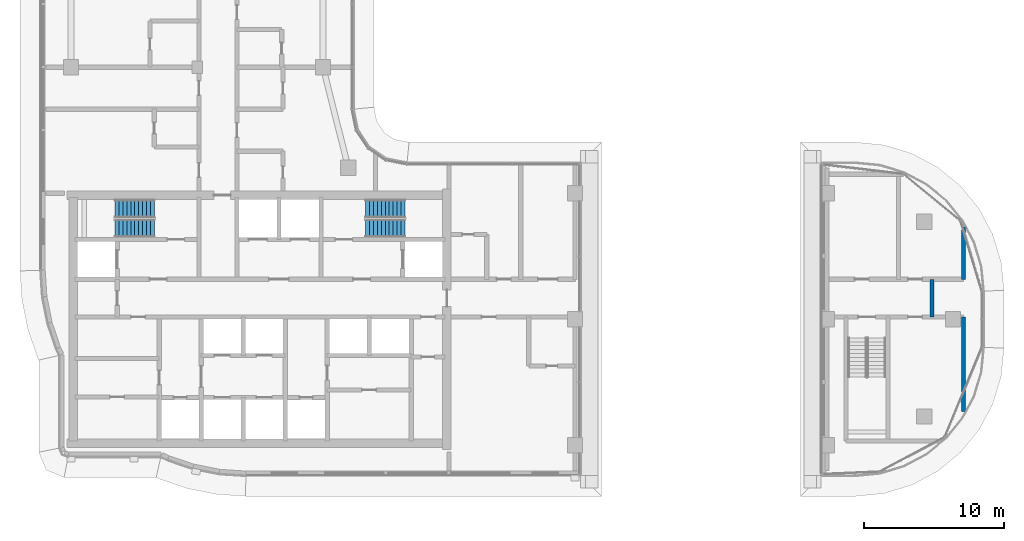
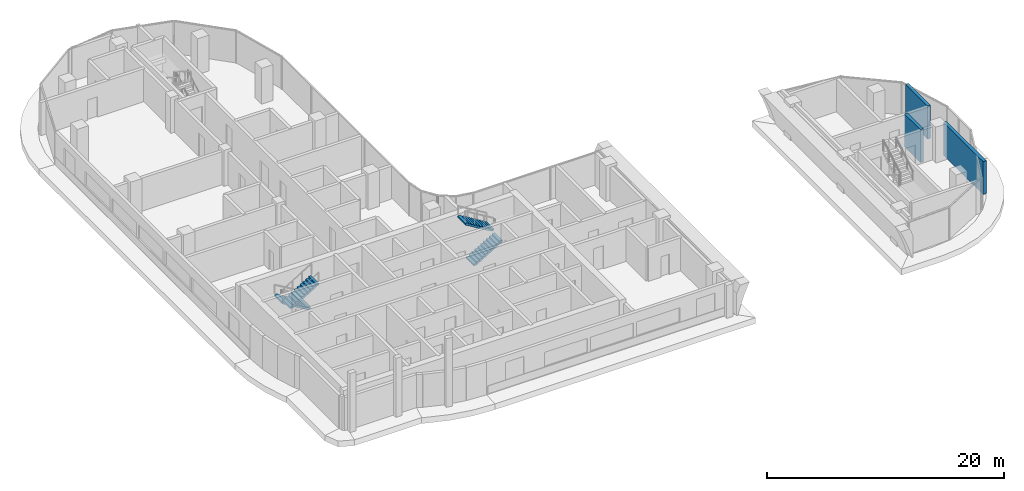
# One storey, part 14 of 26: 4 stair flights, 3 walls, 2 elements without a shape of their own.
"""IFC4 building model written with IfcOpenShell, lengths in metres."""

from ifc_helpers import new_model, si_unit, direction, frame, frame_2d, origin, place, context, subcontext, project, spatial, rectangle, extrude, triangles, source, transform, mapped, material, layer, layer_set, type_object, element, aggregate, save


model = new_model("IFC4")

# Units and contexts
model_context = context("Model", 3, precision=1e-05, world=origin(), true_north=direction((0.0, 1.0)))
body_context = subcontext(model_context, "Body", "Model", "MODEL_VIEW")
ifc_project = project(units=[si_unit("LENGTHUNIT", "METRE"), si_unit("AREAUNIT", "SQUARE_METRE"), si_unit("VOLUMEUNIT", "CUBIC_METRE"), si_unit("PLANEANGLEUNIT", "RADIAN"), si_unit("MASSUNIT", "GRAM", prefix="KILO")], contexts=[model_context])

# Site, building, storey
site_placement = place(None, origin())
site = spatial("IfcSite", under=ifc_project, at=site_placement, CompositionType="ELEMENT")
building_placement = place(site_placement, origin())
building = spatial("IfcBuilding", under=site, at=building_placement, Name="Ogive Portal Towers", CompositionType="ELEMENT")
storey_placement = place(building_placement, frame((0.0, 0.0, 171.800048828125)))
storey = spatial("IfcBuildingStorey", under=building, at=storey_placement, Name="L42", CompositionType="ELEMENT", Elevation=171.800048828125)

# Walls
ifc_material_1 = material(Name="Gypsum board partition on steel studs", Category="steel")
ifc_layer_1 = layer(ifc_material_1, 0.300048828125)
ifc_layer_set_1 = layer_set([ifc_layer_1], Name="WT-PART-300-EI 120")
wall_type_1 = type_object("IfcWallType", Name="WT-PART-300-EI 120", PredefinedType="PARTITIONING", material=ifc_layer_set_1)
wall_1_placement = place(storey_placement, frame((93.0, 30.64990234375, 0.0), z_axis=(0.0, 0.0, 1.0), x_axis=(0.0, 1.0, 0.0)))
element("IfcWall", 1, at=wall_1_placement, inside=storey, type_object=wall_type_1, Name="Wall L42:w050", PredefinedType="PARTITIONING", context=body_context, shape_type="SweptSolid", body=[
    extrude(rectangle(XDim=2.7001953125, YDim=0.300048828125, at=frame_2d((1.35009765625, 0.0))), origin(), (0.0, 0.0, 1.0), 3.39990234375),
])
ifc_layer_2 = layer(ifc_material_1, 0.300048828125)
ifc_layer_set_2 = layer_set([ifc_layer_2], Name="WT-PART-300-EI 60")
wall_type_2 = type_object("IfcWallType", Name="WT-PART-300-EI 60", PredefinedType="PARTITIONING", material=ifc_layer_set_2)
wall_2_placement = place(storey_placement, frame((95.25, 23.9150390625, 0.0), z_axis=(0.0, 0.0, 1.0), x_axis=(0.0, 1.0, 0.0)))
element("IfcWall", 2, at=wall_2_placement, inside=storey, type_object=wall_type_2, Name="Wall L42:w051", PredefinedType="PARTITIONING", context=body_context, shape_type="SweptSolid", body=[
    extrude(rectangle(XDim=6.73486328125, YDim=0.300048828125, at=frame_2d((3.367431640625, 0.0))), origin(), (0.0, 0.0, 1.0), 3.39990234375),
])
wall_3_placement = place(storey_placement, frame((95.25, 33.35009765625, 0.0), z_axis=(0.0, 0.0, 1.0), x_axis=(0.0, 1.0, 0.0)))
element("IfcWall", 3, at=wall_3_placement, inside=storey, type_object=wall_type_2, Name="Wall L42:w052", PredefinedType="PARTITIONING", context=body_context, shape_type="SweptSolid", body=[
    extrude(rectangle(XDim=3.73486328125, YDim=0.300048828125, at=frame_2d((1.867431640625, 0.0))), origin(), (0.0, 0.0, 1.0), 3.39990234375),
])

# Stair, stair flights
ifc_material_2 = material(Name="Concrete C40/50", Category="concrete")
stair_type = type_object("IfcStairType", Name="INT-STAIR", PredefinedType="HALF_TURN_STAIR", material=ifc_material_2)
stair_1_placement = place(storey_placement, origin())
stair_1 = element("IfcStair", 4, at=stair_1_placement, inside=storey, type_object=stair_type, Name="L42 Exit Stair ST-A1", PredefinedType="HALF_TURN_STAIR")
stair_flight_type = type_object("IfcStairFlightType", Name="INT-FLIGHT", PredefinedType="STRAIGHT", material=ifc_material_2)
shared_shape = source(origin(), body_context, "Body", "Tessellation", [
    triangles([(0.0, -0.650146484375, 0.0), (0.0, -0.376220703125, 0.0), (0.0, -0.192626953125, 0.0), (0.0, -0.081298828125, 0.0), (0.0, -0.024169921875, 0.0), (0.0, -0.003173828125, 0.0), (0.0, 0.0, 0.0), (0.0, 0.0029296875, 0.0), (0.0, 0.02392578125, 0.0), (0.0, 0.0810546875, 0.0), (0.0, 0.1923828125, 0.0), (0.0, 0.3759765625, 0.0), (0.0, 0.64990234375, 0.0), (0.0, -0.650146484375, 0.168212890625), (0.0, -0.376220703125, 0.168212890625), (0.0, -0.192626953125, 0.168212890625), (0.0, -0.081298828125, 0.168212890625), (0.0, -0.024169921875, 0.168212890625), (0.0, -0.003173828125, 0.168212890625), (0.0, 0.0, 0.168212890625), (0.0, 0.0029296875, 0.168212890625), (0.0, 0.02392578125, 0.168212890625), (0.0, 0.0810546875, 0.168212890625), (0.0, 0.1923828125, 0.168212890625), (0.0, 0.3759765625, 0.168212890625), (0.0, 0.64990234375, 0.168212890625), (0.280029296875, -0.650146484375, 0.168212890625), (0.280029296875, -0.376220703125, 0.168212890625), (0.280029296875, -0.192626953125, 0.168212890625), (0.280029296875, -0.081298828125, 0.168212890625), (0.280029296875, -0.024169921875, 0.168212890625), (0.280029296875, -0.003173828125, 0.168212890625), (0.280029296875, 0.0, 0.168212890625), (0.280029296875, 0.0029296875, 0.168212890625), (0.280029296875, 0.02392578125, 0.168212890625), (0.280029296875, 0.0810546875, 0.168212890625), (0.280029296875, 0.1923828125, 0.168212890625), (0.280029296875, 0.3759765625, 0.168212890625), (0.280029296875, 0.64990234375, 0.168212890625), (0.280029296875, -0.650146484375, 0.33642578125), (0.280029296875, -0.376220703125, 0.33642578125), (0.280029296875, -0.192626953125, 0.33642578125), (0.280029296875, -0.081298828125, 0.33642578125), (0.280029296875, -0.024169921875, 0.33642578125), (0.280029296875, -0.003173828125, 0.33642578125), (0.280029296875, 0.0, 0.33642578125), (0.280029296875, 0.0029296875, 0.33642578125), (0.280029296875, 0.02392578125, 0.33642578125), (0.280029296875, 0.0810546875, 0.33642578125), (0.280029296875, 0.1923828125, 0.33642578125), (0.280029296875, 0.3759765625, 0.33642578125), (0.280029296875, 0.64990234375, 0.33642578125), (0.56005859375, -0.650146484375, 0.33642578125), (0.56005859375, -0.376220703125, 0.33642578125), (0.56005859375, -0.192626953125, 0.33642578125), (0.56005859375, -0.081298828125, 0.33642578125), (0.56005859375, -0.024169921875, 0.33642578125), (0.56005859375, -0.003173828125, 0.33642578125), (0.56005859375, 0.0, 0.33642578125), (0.56005859375, 0.0029296875, 0.33642578125), (0.56005859375, 0.02392578125, 0.33642578125), (0.56005859375, 0.0810546875, 0.33642578125), (0.56005859375, 0.1923828125, 0.33642578125), (0.56005859375, 0.3759765625, 0.33642578125), (0.56005859375, 0.64990234375, 0.33642578125), (0.56005859375, -0.650146484375, 0.504638671875), (0.56005859375, -0.376220703125, 0.504638671875), (0.56005859375, -0.192626953125, 0.504638671875), (0.56005859375, -0.081298828125, 0.504638671875), (0.56005859375, -0.024169921875, 0.504638671875), (0.56005859375, -0.003173828125, 0.504638671875), (0.56005859375, 0.0, 0.504638671875), (0.56005859375, 0.0029296875, 0.504638671875), (0.56005859375, 0.02392578125, 0.504638671875), (0.56005859375, 0.0810546875, 0.504638671875), (0.56005859375, 0.1923828125, 0.504638671875), (0.56005859375, 0.3759765625, 0.504638671875), (0.56005859375, 0.64990234375, 0.504638671875), (0.840087890625, -0.650146484375, 0.504638671875), (0.840087890625, -0.376220703125, 0.504638671875), (0.840087890625, -0.192626953125, 0.504638671875), (0.840087890625, -0.081298828125, 0.504638671875), (0.840087890625, -0.024169921875, 0.504638671875), (0.840087890625, -0.003173828125, 0.504638671875), (0.840087890625, 0.0, 0.504638671875), (0.840087890625, 0.0029296875, 0.504638671875), (0.840087890625, 0.02392578125, 0.504638671875), (0.840087890625, 0.0810546875, 0.504638671875), (0.840087890625, 0.1923828125, 0.504638671875), (0.840087890625, 0.3759765625, 0.504638671875), (0.840087890625, 0.64990234375, 0.504638671875), (0.840087890625, -0.650146484375, 0.672607421875), (0.840087890625, -0.376220703125, 0.672607421875), (0.840087890625, -0.192626953125, 0.672607421875), (0.840087890625, -0.081298828125, 0.672607421875), (0.840087890625, -0.024169921875, 0.672607421875), (0.840087890625, -0.003173828125, 0.672607421875), (0.840087890625, 0.0, 0.672607421875), (0.840087890625, 0.0029296875, 0.672607421875), (0.840087890625, 0.02392578125, 0.672607421875), (0.840087890625, 0.0810546875, 0.672607421875), (0.840087890625, 0.1923828125, 0.672607421875), (0.840087890625, 0.3759765625, 0.672607421875), (0.840087890625, 0.64990234375, 0.672607421875), (1.1201171875, -0.650146484375, 0.672607421875), (1.1201171875, -0.376220703125, 0.672607421875), (1.1201171875, -0.192626953125, 0.672607421875), (1.1201171875, -0.081298828125, 0.672607421875), (1.1201171875, -0.024169921875, 0.672607421875), (1.1201171875, -0.003173828125, 0.672607421875), (1.1201171875, 0.0, 0.672607421875), (1.1201171875, 0.0029296875, 0.672607421875), (1.1201171875, 0.02392578125, 0.672607421875), (1.1201171875, 0.0810546875, 0.672607421875), (1.1201171875, 0.1923828125, 0.672607421875), (1.1201171875, 0.3759765625, 0.672607421875), (1.1201171875, 0.64990234375, 0.672607421875), (1.1201171875, -0.650146484375, 0.8408203125), (1.1201171875, -0.376220703125, 0.8408203125), (1.1201171875, -0.192626953125, 0.8408203125), (1.1201171875, -0.081298828125, 0.8408203125), (1.1201171875, -0.024169921875, 0.8408203125), (1.1201171875, -0.003173828125, 0.8408203125), (1.1201171875, 0.0, 0.8408203125), (1.1201171875, 0.0029296875, 0.8408203125), (1.1201171875, 0.02392578125, 0.8408203125), (1.1201171875, 0.0810546875, 0.8408203125), (1.1201171875, 0.1923828125, 0.8408203125), (1.1201171875, 0.3759765625, 0.8408203125), (1.1201171875, 0.64990234375, 0.8408203125), (1.39990234375, -0.650146484375, 0.8408203125), (1.39990234375, -0.376220703125, 0.8408203125), (1.39990234375, -0.192626953125, 0.8408203125), (1.39990234375, -0.081298828125, 0.8408203125), (1.39990234375, -0.024169921875, 0.8408203125), (1.39990234375, -0.003173828125, 0.8408203125), (1.39990234375, 0.0, 0.8408203125), (1.39990234375, 0.0029296875, 0.8408203125), (1.39990234375, 0.02392578125, 0.8408203125), (1.39990234375, 0.0810546875, 0.8408203125), (1.39990234375, 0.1923828125, 0.8408203125), (1.39990234375, 0.3759765625, 0.8408203125), (1.39990234375, 0.64990234375, 0.8408203125), (1.39990234375, -0.650146484375, 1.009033203125), (1.39990234375, -0.376220703125, 1.009033203125), (1.39990234375, -0.192626953125, 1.009033203125), (1.39990234375, -0.081298828125, 1.009033203125), (1.39990234375, -0.024169921875, 1.009033203125), (1.39990234375, -0.003173828125, 1.009033203125), (1.39990234375, 0.0, 1.009033203125), (1.39990234375, 0.0029296875, 1.009033203125), (1.39990234375, 0.02392578125, 1.009033203125), (1.39990234375, 0.0810546875, 1.009033203125), (1.39990234375, 0.1923828125, 1.009033203125), (1.39990234375, 0.3759765625, 1.009033203125), (1.39990234375, 0.64990234375, 1.009033203125), (1.679931640625, -0.650146484375, 1.009033203125), (1.679931640625, -0.376220703125, 1.009033203125), (1.679931640625, -0.192626953125, 1.009033203125), (1.679931640625, -0.081298828125, 1.009033203125), (1.679931640625, -0.024169921875, 1.009033203125), (1.679931640625, -0.003173828125, 1.009033203125), (1.679931640625, 0.0, 1.009033203125), (1.679931640625, 0.0029296875, 1.009033203125), (1.679931640625, 0.02392578125, 1.009033203125), (1.679931640625, 0.0810546875, 1.009033203125), (1.679931640625, 0.1923828125, 1.009033203125), (1.679931640625, 0.3759765625, 1.009033203125), (1.679931640625, 0.64990234375, 1.009033203125), (1.679931640625, -0.650146484375, 1.17724609375), (1.679931640625, -0.376220703125, 1.17724609375), (1.679931640625, -0.192626953125, 1.17724609375), (1.679931640625, -0.081298828125, 1.17724609375), (1.679931640625, -0.024169921875, 1.17724609375), (1.679931640625, -0.003173828125, 1.17724609375), (1.679931640625, 0.0, 1.17724609375), (1.679931640625, 0.0029296875, 1.17724609375), (1.679931640625, 0.02392578125, 1.17724609375), (1.679931640625, 0.0810546875, 1.17724609375), (1.679931640625, 0.1923828125, 1.17724609375), (1.679931640625, 0.3759765625, 1.17724609375), (1.679931640625, 0.64990234375, 1.17724609375), (1.9599609375, -0.650146484375, 1.17724609375), (1.9599609375, -0.376220703125, 1.17724609375), (1.9599609375, -0.192626953125, 1.17724609375), (1.9599609375, -0.081298828125, 1.17724609375), (1.9599609375, -0.024169921875, 1.17724609375), (1.9599609375, -0.003173828125, 1.17724609375), (1.9599609375, 0.0, 1.17724609375), (1.9599609375, 0.0029296875, 1.17724609375), (1.9599609375, 0.02392578125, 1.17724609375), (1.9599609375, 0.0810546875, 1.17724609375), (1.9599609375, 0.1923828125, 1.17724609375), (1.9599609375, 0.3759765625, 1.17724609375), (1.9599609375, 0.64990234375, 1.17724609375), (1.9599609375, -0.650146484375, 1.345458984375), (1.9599609375, -0.376220703125, 1.345458984375), (1.9599609375, -0.192626953125, 1.345458984375), (1.9599609375, -0.081298828125, 1.345458984375), (1.9599609375, -0.024169921875, 1.345458984375), (1.9599609375, -0.003173828125, 1.345458984375), (1.9599609375, 0.0, 1.345458984375), (1.9599609375, 0.0029296875, 1.345458984375), (1.9599609375, 0.02392578125, 1.345458984375), (1.9599609375, 0.0810546875, 1.345458984375), (1.9599609375, 0.1923828125, 1.345458984375), (1.9599609375, 0.3759765625, 1.345458984375), (1.9599609375, 0.64990234375, 1.345458984375), (2.239990234375, -0.650146484375, 1.345458984375), (2.239990234375, -0.376220703125, 1.345458984375), (2.239990234375, -0.192626953125, 1.345458984375), (2.239990234375, -0.081298828125, 1.345458984375), (2.239990234375, -0.024169921875, 1.345458984375), (2.239990234375, -0.003173828125, 1.345458984375), (2.239990234375, 0.0, 1.345458984375), (2.239990234375, 0.0029296875, 1.345458984375), (2.239990234375, 0.02392578125, 1.345458984375), (2.239990234375, 0.0810546875, 1.345458984375), (2.239990234375, 0.1923828125, 1.345458984375), (2.239990234375, 0.3759765625, 1.345458984375), (2.239990234375, 0.64990234375, 1.345458984375), (2.239990234375, -0.650146484375, 1.513671875), (2.239990234375, -0.376220703125, 1.513671875), (2.239990234375, -0.192626953125, 1.513671875), (2.239990234375, -0.081298828125, 1.513671875), (2.239990234375, -0.024169921875, 1.513671875), (2.239990234375, -0.003173828125, 1.513671875), (2.239990234375, 0.0, 1.513671875), (2.239990234375, 0.0029296875, 1.513671875), (2.239990234375, 0.02392578125, 1.513671875), (2.239990234375, 0.0810546875, 1.513671875), (2.239990234375, 0.1923828125, 1.513671875), (2.239990234375, 0.3759765625, 1.513671875), (2.239990234375, 0.64990234375, 1.513671875), (2.52001953125, -0.650146484375, 1.513671875), (2.52001953125, -0.376220703125, 1.513671875), (2.52001953125, -0.192626953125, 1.513671875), (2.52001953125, -0.081298828125, 1.513671875), (2.52001953125, -0.024169921875, 1.513671875), (2.52001953125, -0.003173828125, 1.513671875), (2.52001953125, 0.0, 1.513671875), (2.52001953125, 0.0029296875, 1.513671875), (2.52001953125, 0.02392578125, 1.513671875), (2.52001953125, 0.0810546875, 1.513671875), (2.52001953125, 0.1923828125, 1.513671875), (2.52001953125, 0.3759765625, 1.513671875), (2.52001953125, 0.64990234375, 1.513671875), (2.52001953125, -0.650146484375, 1.681884765625), (2.52001953125, -0.376220703125, 1.681884765625), (2.52001953125, -0.192626953125, 1.681884765625), (2.52001953125, -0.081298828125, 1.681884765625), (2.52001953125, -0.024169921875, 1.681884765625), (2.52001953125, -0.003173828125, 1.681884765625), (2.52001953125, 0.0, 1.681884765625), (2.52001953125, 0.0029296875, 1.681884765625), (2.52001953125, 0.02392578125, 1.681884765625), (2.52001953125, 0.0810546875, 1.681884765625), (2.52001953125, 0.1923828125, 1.681884765625), (2.52001953125, 0.3759765625, 1.681884765625), (2.52001953125, 0.64990234375, 1.681884765625), (2.800048828125, -0.650146484375, 1.681884765625), (2.800048828125, -0.376220703125, 1.681884765625), (2.800048828125, -0.192626953125, 1.681884765625), (2.800048828125, -0.081298828125, 1.681884765625), (2.800048828125, -0.024169921875, 1.681884765625), (2.800048828125, -0.003173828125, 1.681884765625), (2.800048828125, 0.0, 1.681884765625), (2.800048828125, 0.0029296875, 1.681884765625), (2.800048828125, 0.02392578125, 1.681884765625), (2.800048828125, 0.0810546875, 1.681884765625), (2.800048828125, 0.1923828125, 1.681884765625), (2.800048828125, 0.3759765625, 1.681884765625), (2.800048828125, 0.64990234375, 1.681884765625), (2.800048828125, -0.650146484375, 1.5068359375), (2.800048828125, -0.376220703125, 1.5068359375), (2.800048828125, -0.192626953125, 1.5068359375), (2.800048828125, -0.081298828125, 1.5068359375), (2.800048828125, -0.024169921875, 1.5068359375), (2.800048828125, -0.003173828125, 1.5068359375), (2.800048828125, 0.0, 1.5068359375), (2.800048828125, 0.0029296875, 1.5068359375), (2.800048828125, 0.02392578125, 1.5068359375), (2.800048828125, 0.0810546875, 1.5068359375), (2.800048828125, 0.1923828125, 1.5068359375), (2.800048828125, 0.3759765625, 1.5068359375), (2.800048828125, 0.64990234375, 1.5068359375), (0.291015625, -0.650146484375, 0.0), (0.291015625, -0.376220703125, 0.0), (0.291015625, -0.192626953125, 0.0), (0.291015625, -0.081298828125, 0.0), (0.291015625, -0.024169921875, 0.0), (0.291015625, -0.003173828125, 0.0), (0.291015625, 0.0, 0.0), (0.291015625, 0.0029296875, 0.0), (0.291015625, 0.02392578125, 0.0), (0.291015625, 0.0810546875, 0.0), (0.291015625, 0.1923828125, 0.0), (0.291015625, 0.3759765625, 0.0), (0.291015625, 0.64990234375, 0.0)], [[1, 14, 15], [1, 15, 2], [2, 15, 16], [2, 16, 3], [3, 16, 17], [3, 17, 4], [4, 17, 18], [4, 18, 5], [5, 18, 19], [5, 19, 6], [6, 19, 20], [6, 20, 7], [7, 20, 21], [7, 21, 8], [8, 21, 22], [8, 22, 9], [9, 22, 23], [9, 23, 10], [10, 23, 24], [10, 24, 11], [11, 24, 25], [11, 25, 12], [12, 25, 26], [12, 26, 13], [14, 27, 28], [14, 28, 15], [15, 28, 29], [15, 29, 16], [16, 29, 30], [16, 30, 17], [17, 30, 31], [17, 31, 18], [18, 31, 32], [18, 32, 19], [19, 32, 33], [19, 33, 20], [20, 33, 34], [20, 34, 21], [21, 34, 35], [21, 35, 22], [22, 35, 36], [22, 36, 23], [23, 36, 37], [23, 37, 24], [24, 37, 38], [24, 38, 25], [25, 38, 39], [25, 39, 26], [27, 40, 41], [27, 41, 28], [28, 41, 42], [28, 42, 29], [29, 42, 43], [29, 43, 30], [30, 43, 44], [30, 44, 31], [31, 44, 45], [31, 45, 32], [32, 45, 46], [32, 46, 33], [33, 46, 47], [33, 47, 34], [34, 47, 48], [34, 48, 35], [35, 48, 49], [35, 49, 36], [36, 49, 50], [36, 50, 37], [37, 50, 51], [37, 51, 38], [38, 51, 52], [38, 52, 39], [40, 53, 54], [40, 54, 41], [41, 54, 55], [41, 55, 42], [42, 55, 56], [42, 56, 43], [43, 56, 57], [43, 57, 44], [44, 57, 58], [44, 58, 45], [45, 58, 59], [45, 59, 46], [46, 59, 60], [46, 60, 47], [47, 60, 61], [47, 61, 48], [48, 61, 62], [48, 62, 49], [49, 62, 63], [49, 63, 50], [50, 63, 64], [50, 64, 51], [51, 64, 65], [51, 65, 52], [53, 66, 67], [53, 67, 54], [54, 67, 68], [54, 68, 55], [55, 68, 69], [55, 69, 56], [56, 69, 70], [56, 70, 57], [57, 70, 71], [57, 71, 58], [58, 71, 72], [58, 72, 59], [59, 72, 73], [59, 73, 60], [60, 73, 74], [60, 74, 61], [61, 74, 75], [61, 75, 62], [62, 75, 76], [62, 76, 63], [63, 76, 77], [63, 77, 64], [64, 77, 78], [64, 78, 65], [66, 79, 80], [66, 80, 67], [67, 80, 81], [67, 81, 68], [68, 81, 82], [68, 82, 69], [69, 82, 83], [69, 83, 70], [70, 83, 84], [70, 84, 71], [71, 84, 85], [71, 85, 72], [72, 85, 86], [72, 86, 73], [73, 86, 87], [73, 87, 74], [74, 87, 88], [74, 88, 75], [75, 88, 89], [75, 89, 76], [76, 89, 90], [76, 90, 77], [77, 90, 91], [77, 91, 78], [79, 92, 93], [79, 93, 80], [80, 93, 94], [80, 94, 81], [81, 94, 95], [81, 95, 82], [82, 95, 96], [82, 96, 83], [83, 96, 97], [83, 97, 84], [84, 97, 98], [84, 98, 85], [85, 98, 99], [85, 99, 86], [86, 99, 100], [86, 100, 87], [87, 100, 101], [87, 101, 88], [88, 101, 102], [88, 102, 89], [89, 102, 103], [89, 103, 90], [90, 103, 104], [90, 104, 91], [92, 105, 106], [92, 106, 93], [93, 106, 107], [93, 107, 94], [94, 107, 108], [94, 108, 95], [95, 108, 109], [95, 109, 96], [96, 109, 110], [96, 110, 97], [97, 110, 111], [97, 111, 98], [98, 111, 112], [98, 112, 99], [99, 112, 113], [99, 113, 100], [100, 113, 114], [100, 114, 101], [101, 114, 115], [101, 115, 102], [102, 115, 116], [102, 116, 103], [103, 116, 117], [103, 117, 104], [105, 118, 119], [105, 119, 106], [106, 119, 120], [106, 120, 107], [107, 120, 121], [107, 121, 108], [108, 121, 122], [108, 122, 109], [109, 122, 123], [109, 123, 110], [110, 123, 124], [110, 124, 111], [111, 124, 125], [111, 125, 112], [112, 125, 126], [112, 126, 113], [113, 126, 127], [113, 127, 114], [114, 127, 128], [114, 128, 115], [115, 128, 129], [115, 129, 116], [116, 129, 130], [116, 130, 117], [118, 131, 132], [118, 132, 119], [119, 132, 133], [119, 133, 120], [120, 133, 134], [120, 134, 121], [121, 134, 135], [121, 135, 122], [122, 135, 136], [122, 136, 123], [123, 136, 137], [123, 137, 124], [124, 137, 138], [124, 138, 125], [125, 138, 139], [125, 139, 126], [126, 139, 140], [126, 140, 127], [127, 140, 141], [127, 141, 128], [128, 141, 142], [128, 142, 129], [129, 142, 143], [129, 143, 130], [131, 144, 145], [131, 145, 132], [132, 145, 146], [132, 146, 133], [133, 146, 147], [133, 147, 134], [134, 147, 148], [134, 148, 135], [135, 148, 149], [135, 149, 136], [136, 149, 150], [136, 150, 137], [137, 150, 151], [137, 151, 138], [138, 151, 152], [138, 152, 139], [139, 152, 153], [139, 153, 140], [140, 153, 154], [140, 154, 141], [141, 154, 155], [141, 155, 142], [142, 155, 156], [142, 156, 143], [144, 157, 158], [144, 158, 145], [145, 158, 159], [145, 159, 146], [146, 159, 160], [146, 160, 147], [147, 160, 161], [147, 161, 148], [148, 161, 162], [148, 162, 149], [149, 162, 163], [149, 163, 150], [150, 163, 164], [150, 164, 151], [151, 164, 165], [151, 165, 152], [152, 165, 166], [152, 166, 153], [153, 166, 167], [153, 167, 154], [154, 167, 168], [154, 168, 155], [155, 168, 169], [155, 169, 156], [157, 170, 171], [157, 171, 158], [158, 171, 172], [158, 172, 159], [159, 172, 173], [159, 173, 160], [160, 173, 174], [160, 174, 161], [161, 174, 175], [161, 175, 162], [162, 175, 176], [162, 176, 163], [163, 176, 177], [163, 177, 164], [164, 177, 178], [164, 178, 165], [165, 178, 179], [165, 179, 166], [166, 179, 180], [166, 180, 167], [167, 180, 181], [167, 181, 168], [168, 181, 182], [168, 182, 169], [170, 183, 184], [170, 184, 171], [171, 184, 185], [171, 185, 172], [172, 185, 186], [172, 186, 173], [173, 186, 187], [173, 187, 174], [174, 187, 188], [174, 188, 175], [175, 188, 189], [175, 189, 176], [176, 189, 190], [176, 190, 177], [177, 190, 191], [177, 191, 178], [178, 191, 192], [178, 192, 179], [179, 192, 193], [179, 193, 180], [180, 193, 194], [180, 194, 181], [181, 194, 195], [181, 195, 182], [183, 196, 197], [183, 197, 184], [184, 197, 198], [184, 198, 185], [185, 198, 199], [185, 199, 186], [186, 199, 200], [186, 200, 187], [187, 200, 201], [187, 201, 188], [188, 201, 202], [188, 202, 189], [189, 202, 203], [189, 203, 190], [190, 203, 204], [190, 204, 191], [191, 204, 205], [191, 205, 192], [192, 205, 206], [192, 206, 193], [193, 206, 207], [193, 207, 194], [194, 207, 208], [194, 208, 195], [196, 209, 210], [196, 210, 197], [197, 210, 211], [197, 211, 198], [198, 211, 212], [198, 212, 199], [199, 212, 213], [199, 213, 200], [200, 213, 214], [200, 214, 201], [201, 214, 215], [201, 215, 202], [202, 215, 216], [202, 216, 203], [203, 216, 217], [203, 217, 204], [204, 217, 218], [204, 218, 205], [205, 218, 219], [205, 219, 206], [206, 219, 220], [206, 220, 207], [207, 220, 221], [207, 221, 208], [209, 222, 223], [209, 223, 210], [210, 223, 224], [210, 224, 211], [211, 224, 225], [211, 225, 212], [212, 225, 226], [212, 226, 213], [213, 226, 227], [213, 227, 214], [214, 227, 228], [214, 228, 215], [215, 228, 229], [215, 229, 216], [216, 229, 230], [216, 230, 217], [217, 230, 231], [217, 231, 218], [218, 231, 232], [218, 232, 219], [219, 232, 233], [219, 233, 220], [220, 233, 234], [220, 234, 221], [222, 235, 236], [222, 236, 223], [223, 236, 237], [223, 237, 224], [224, 237, 238], [224, 238, 225], [225, 238, 239], [225, 239, 226], [226, 239, 240], [226, 240, 227], [227, 240, 241], [227, 241, 228], [228, 241, 242], [228, 242, 229], [229, 242, 243], [229, 243, 230], [230, 243, 244], [230, 244, 231], [231, 244, 245], [231, 245, 232], [232, 245, 246], [232, 246, 233], [233, 246, 247], [233, 247, 234], [235, 248, 249], [235, 249, 236], [236, 249, 250], [236, 250, 237], [237, 250, 251], [237, 251, 238], [238, 251, 252], [238, 252, 239], [239, 252, 253], [239, 253, 240], [240, 253, 254], [240, 254, 241], [241, 254, 255], [241, 255, 242], [242, 255, 256], [242, 256, 243], [243, 256, 257], [243, 257, 244], [244, 257, 258], [244, 258, 245], [245, 258, 259], [245, 259, 246], [246, 259, 260], [246, 260, 247], [248, 261, 262], [248, 262, 249], [249, 262, 263], [249, 263, 250], [250, 263, 264], [250, 264, 251], [251, 264, 265], [251, 265, 252], [252, 265, 266], [252, 266, 253], [253, 266, 267], [253, 267, 254], [254, 267, 268], [254, 268, 255], [255, 268, 269], [255, 269, 256], [256, 269, 270], [256, 270, 257], [257, 270, 271], [257, 271, 258], [258, 271, 272], [258, 272, 259], [259, 272, 273], [259, 273, 260], [261, 274, 275], [261, 275, 262], [262, 275, 276], [262, 276, 263], [263, 276, 277], [263, 277, 264], [264, 277, 278], [264, 278, 265], [265, 278, 279], [265, 279, 266], [266, 279, 280], [266, 280, 267], [267, 280, 281], [267, 281, 268], [268, 281, 282], [268, 282, 269], [269, 282, 283], [269, 283, 270], [270, 283, 284], [270, 284, 271], [271, 284, 285], [271, 285, 272], [272, 285, 286], [272, 286, 273], [274, 287, 288], [274, 288, 275], [275, 288, 289], [275, 289, 276], [276, 289, 290], [276, 290, 277], [277, 290, 291], [277, 291, 278], [278, 291, 292], [278, 292, 279], [279, 292, 293], [279, 293, 280], [280, 293, 294], [280, 294, 281], [281, 294, 295], [281, 295, 282], [282, 295, 296], [282, 296, 283], [283, 296, 297], [283, 297, 284], [284, 297, 298], [284, 298, 285], [285, 298, 299], [285, 299, 286], [287, 1, 2], [287, 2, 288], [288, 2, 3], [288, 3, 289], [289, 3, 4], [289, 4, 290], [290, 4, 5], [290, 5, 291], [291, 5, 6], [291, 6, 292], [292, 6, 7], [292, 7, 293], [293, 7, 8], [293, 8, 294], [294, 8, 9], [294, 9, 295], [295, 9, 10], [295, 10, 296], [296, 10, 11], [296, 11, 297], [297, 11, 12], [297, 12, 298], [298, 12, 13], [298, 13, 299], [1, 287, 274], [13, 286, 299], [274, 261, 248], [286, 260, 273], [274, 248, 235], [286, 247, 260], [274, 235, 222], [286, 234, 247], [274, 222, 209], [286, 221, 234], [209, 196, 183], [221, 195, 208], [274, 209, 183], [286, 195, 221], [183, 170, 157], [195, 169, 182], [274, 183, 157], [286, 169, 195], [157, 144, 131], [169, 143, 156], [274, 157, 131], [286, 143, 169], [131, 118, 105], [143, 117, 130], [274, 131, 105], [286, 117, 143], [1, 274, 105], [13, 117, 286], [105, 92, 79], [117, 91, 104], [79, 66, 53], [91, 65, 78], [105, 79, 53], [117, 65, 91], [53, 40, 27], [65, 39, 52], [105, 53, 27], [117, 39, 65], [1, 105, 27], [13, 39, 117], [27, 14, 1], [39, 13, 26]], closed=True),
])
stair_flight_1_placement = place(storey_placement, frame((37.449951171875, 38.39990234375, 0.0), z_axis=(0.0, 0.0, 1.0), x_axis=(-1.0, 0.0, 0.0)))
stair_flight_1 = element("IfcStairFlight", 5, at=stair_flight_1_placement, type_object=stair_flight_type, Name="ST-A1 flight 1", NumberOfRisers=11, NumberOfTreads=10, PredefinedType="STRAIGHT", RiserHeight=0.168181818, TreadLength=0.28, context=body_context, shape_type="MappedRepresentation", body=[
    mapped(shared_shape, transform((0.0, 0.0, 0.0), scale=1.0)),
])
stair_flight_2_placement = place(storey_placement, frame((34.64990234375, 37.0, 1.849853515625), z_axis=(0.0, 0.0, 1.0), x_axis=(1.0, 0.0, 0.0)))
stair_flight_2 = element("IfcStairFlight", 6, at=stair_flight_2_placement, type_object=stair_flight_type, Name="ST-A1 flight 2", NumberOfRisers=11, NumberOfTreads=10, PredefinedType="STRAIGHT", RiserHeight=0.168181818, TreadLength=0.28, context=body_context, shape_type="MappedRepresentation", body=[
    mapped(shared_shape, transform((0.0, 0.0, 0.0), scale=1.0)),
])
aggregate(stair_1, [stair_flight_1, stair_flight_2])

stair_2_placement = place(storey_placement, origin())
stair_2 = element("IfcStair", 7, at=stair_2_placement, inside=storey, type_object=stair_type, Name="L42 Exit Stair ST-A2", PredefinedType="HALF_TURN_STAIR")
stair_flight_3_placement = place(storey_placement, frame((52.550048828125, 37.0, 0.0), z_axis=(0.0, 0.0, 1.0), x_axis=(1.0, 0.0, 0.0)))
stair_flight_3 = element("IfcStairFlight", 8, at=stair_flight_3_placement, type_object=stair_flight_type, Name="ST-A2 flight 1", NumberOfRisers=11, NumberOfTreads=10, PredefinedType="STRAIGHT", RiserHeight=0.168181818, TreadLength=0.28, context=body_context, shape_type="MappedRepresentation", body=[
    mapped(shared_shape, transform((0.0, 0.0, 0.0), scale=1.0)),
])
stair_flight_4_placement = place(storey_placement, frame((55.35009765625, 38.39990234375, 1.849853515625), z_axis=(0.0, 0.0, 1.0), x_axis=(-1.0, 0.0, 0.0)))
stair_flight_4 = element("IfcStairFlight", 9, at=stair_flight_4_placement, type_object=stair_flight_type, Name="ST-A2 flight 2", NumberOfRisers=11, NumberOfTreads=10, PredefinedType="STRAIGHT", RiserHeight=0.168181818, TreadLength=0.28, context=body_context, shape_type="MappedRepresentation", body=[
    mapped(shared_shape, transform((0.0, 0.0, 0.0), scale=1.0)),
])
aggregate(stair_2, [stair_flight_3, stair_flight_4])

save(model, "model.ifc")
